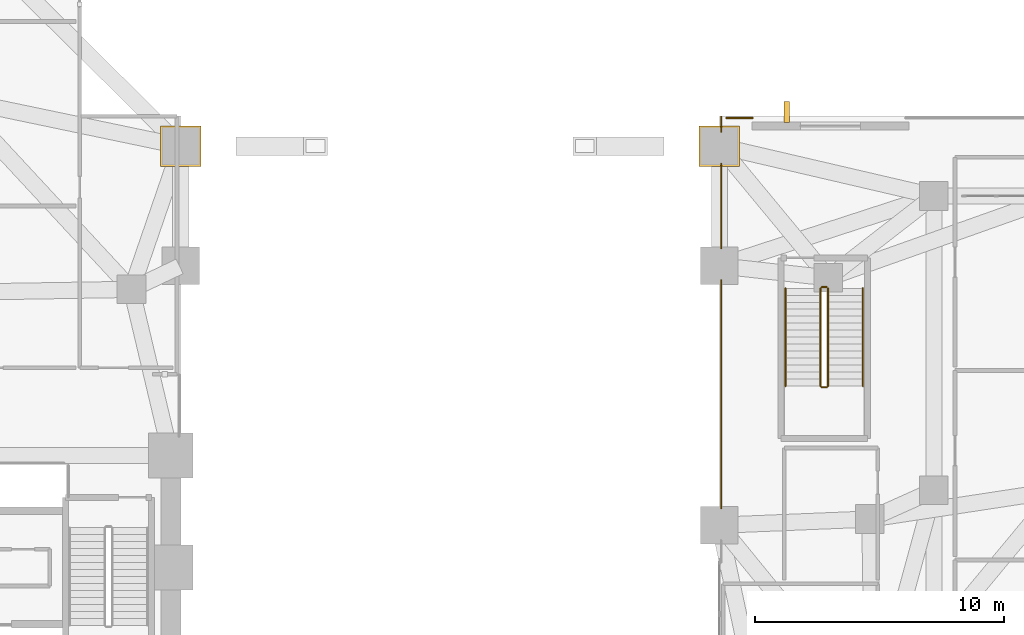
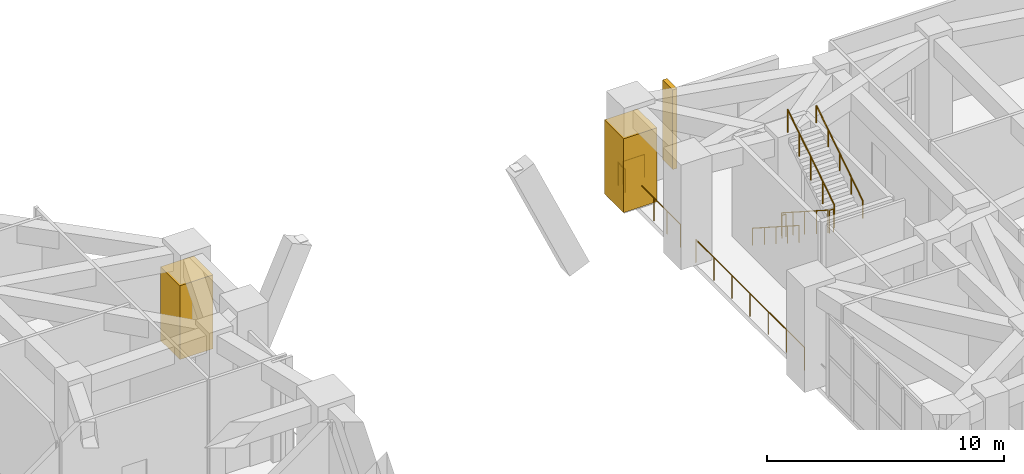
# One storey, part 16 of 18: 10 railings, 2 coverings, 1 shading device.
"""IFC4 building model written with IfcOpenShell, lengths in metres."""

from ifc_helpers import new_model, si_unit, direction, frame, origin, origin_2d, place, context, subcontext, project, spatial, rectangle, circle, extrude, material, layer, layer_set, type_object, element, save


model = new_model("IFC4")

# Units and contexts
model_context = context("Model", 3, precision=1e-05, world=origin(), true_north=direction((0.0, 1.0)))
body_context = subcontext(model_context, "Body", "Model", "MODEL_VIEW")
ifc_project = project(units=[si_unit("LENGTHUNIT", "METRE"), si_unit("AREAUNIT", "SQUARE_METRE"), si_unit("VOLUMEUNIT", "CUBIC_METRE"), si_unit("PLANEANGLEUNIT", "RADIAN"), si_unit("MASSUNIT", "GRAM", prefix="KILO")], contexts=[model_context])

# Site, building, storey
site_placement = place(None, origin())
site = spatial("IfcSite", under=ifc_project, at=site_placement, CompositionType="ELEMENT")
building_placement = place(site_placement, origin())
building = spatial("IfcBuilding", under=site, at=building_placement, Name="Gaonmaruhae Medical Tower", CompositionType="ELEMENT")
storey_placement = place(building_placement, frame((0.0, 0.0, 16.199951171875)))
storey = spatial("IfcBuildingStorey", under=building, at=storey_placement, Name="L03", CompositionType="ELEMENT", Elevation=16.199951171875)

# Coverings
ifc_material_1 = material(Name="Architectural precast column cladding", Category="concrete")
ifc_layer_1 = layer(ifc_material_1, 0.06005859375)
ifc_layer_set_1 = layer_set([ifc_layer_1], Name="Architectural precast column cladding")
covering_type = type_object("IfcCoveringType", Name="CLD-01 Architectural Precast Pier Cladding", PredefinedType="CLADDING", material=ifc_layer_set_1)
for number, where, z_axis, x_axis, name in (
    (1, (36.0, 29.199951171875, 0.10009765625), (0.0, 0.0, 1.0), (1.0, 0.0, 0.0), "L03 Architectural Precast Column Cladding 3"),
    (2, (57.60009765625, 29.199951171875, 0.10009765625), (0.0, 0.0, 1.0), (1.0, 0.0, 0.0), "L03 Architectural Precast Column Cladding 4"),
):
    element("IfcCovering", number, at=place(storey_placement, frame(where, z_axis=z_axis, x_axis=x_axis)), inside=storey, type_object=covering_type, Name=name, PredefinedType="CLADDING", context=body_context, shape_type="SweptSolid", body=[
        extrude(rectangle(XDim=1.6201171875, YDim=1.6201171875, at=origin_2d()), origin(), (0.0, 0.0, 1.0), 3.800048828125),
    ])

# Railings
ifc_material_2 = material(Name="Stainless steel 316L and laminated safety glass", Category="steel")
ifc_layer_2 = layer(ifc_material_2, 0.080078125)
ifc_layer_set_2 = layer_set([ifc_layer_2], Name="Stainless steel 316L and laminated safety glass")
railing_type_1 = type_object("IfcRailingType", Name="GD-120 Outdoor Terrace Safety Glass & Steel Balustrade", PredefinedType="BALUSTRADE", material=ifc_layer_set_2)
railing_1_placement = place(storey_placement, frame((57.669921875, 14.67041015625, 0.0)))
element("IfcRailing", 3, at=railing_1_placement, inside=storey, type_object=railing_type_1, Name="L03 Perimeter Slab Edge Safety Balustrade 35", PredefinedType="BALUSTRADE", context=body_context, shape_type="SweptSolid", body=[
    extrude(circle(Radius=0.02392578125, at=origin_2d()), frame((0.0, 0.0, 1.17578125), z_axis=(0.0, 1.0, 0.0), x_axis=(-1.0, 0.0, 0.0)), (0.0, 0.0, 1.0), 9.154052734375),
    extrude(circle(Radius=0.02099609375, at=origin_2d()), origin(), (0.0, 0.0, 1.0), 1.15185546875),
    extrude(circle(Radius=0.02099609375, at=origin_2d()), frame((0.0, 1.525634765625, 0.0)), (0.0, 0.0, 1.0), 1.15185546875),
    extrude(circle(Radius=0.02099609375, at=origin_2d()), frame((0.0, 3.05126953125, 0.0)), (0.0, 0.0, 1.0), 1.15185546875),
    extrude(circle(Radius=0.02099609375, at=origin_2d()), frame((0.0, 4.5771484375, 0.0)), (0.0, 0.0, 1.0), 1.15185546875),
    extrude(circle(Radius=0.02099609375, at=origin_2d()), frame((0.0, 6.102783203125, 0.0)), (0.0, 0.0, 1.0), 1.15185546875),
    extrude(circle(Radius=0.02099609375, at=origin_2d()), frame((0.0, 7.62841796875, 0.0)), (0.0, 0.0, 1.0), 1.15185546875),
    extrude(circle(Radius=0.02099609375, at=origin_2d()), frame((0.0, 9.154052734375, 0.0)), (0.0, 0.0, 1.0), 1.15185546875),
])
railing_2_placement = place(storey_placement, frame((57.669921875, 25.103515625, 0.0)))
element("IfcRailing", 4, at=railing_2_placement, inside=storey, type_object=railing_type_1, Name="L03 Perimeter Slab Edge Safety Balustrade 36", PredefinedType="BALUSTRADE", context=body_context, shape_type="SweptSolid", body=[
    extrude(circle(Radius=0.02392578125, at=origin_2d()), frame((0.0, 0.0, 1.17578125), z_axis=(0.0, 1.0, 0.0), x_axis=(-1.0, 0.0, 0.0)), (0.0, 0.0, 1.0), 3.397705078125),
    extrude(circle(Radius=0.02099609375, at=origin_2d()), origin(), (0.0, 0.0, 1.0), 1.15185546875),
    extrude(circle(Radius=0.02099609375, at=origin_2d()), frame((0.0, 1.132568359375, 0.0)), (0.0, 0.0, 1.0), 1.15185546875),
    extrude(circle(Radius=0.02099609375, at=origin_2d()), frame((0.0, 2.26513671875, 0.0)), (0.0, 0.0, 1.0), 1.15185546875),
    extrude(circle(Radius=0.02099609375, at=origin_2d()), frame((0.0, 3.397705078125, 0.0)), (0.0, 0.0, 1.0), 1.15185546875),
])
railing_3_placement = place(storey_placement, frame((57.669921875, 29.780517578125, 0.0)))
element("IfcRailing", 5, at=railing_3_placement, inside=storey, type_object=railing_type_1, Name="L03 Perimeter Slab Edge Safety Balustrade 37", PredefinedType="BALUSTRADE", context=body_context, shape_type="SweptSolid", body=[
    extrude(circle(Radius=0.02392578125, at=origin_2d()), frame((0.0, 0.0, 1.17578125), z_axis=(0.0, 1.0, 0.0), x_axis=(-1.0, 0.0, 0.0)), (0.0, 0.0, 1.0), 0.599365234375),
    extrude(circle(Radius=0.02099609375, at=origin_2d()), origin(), (0.0, 0.0, 1.0), 1.15185546875),
    extrude(circle(Radius=0.02099609375, at=origin_2d()), frame((0.0, 0.599365234375, 0.0)), (0.0, 0.0, 1.0), 1.15185546875),
])
railing_4_placement = place(storey_placement, frame((57.879150390625, 30.330078125, 0.0)))
element("IfcRailing", 6, at=railing_4_placement, inside=storey, type_object=railing_type_1, Name="L03 Perimeter Slab Edge Safety Balustrade 38", PredefinedType="BALUSTRADE", context=body_context, shape_type="SweptSolid", body=[
    extrude(circle(Radius=0.02392578125, at=origin_2d()), frame((0.0, 0.0, 1.17578125), z_axis=(1.0, 0.0, 0.0), x_axis=(0.0, 1.0, 0.0)), (0.0, 0.0, 1.0), 1.0576171875),
    extrude(circle(Radius=0.02099609375, at=origin_2d()), origin(), (0.0, 0.0, 1.0), 1.15185546875),
    extrude(circle(Radius=0.02099609375, at=origin_2d()), frame((1.0576171875, 0.0, 0.0)), (0.0, 0.0, 1.0), 1.15185546875),
])
ifc_material_3 = material(Name="Stainless steel 304 handrail", Category="steel")
railing_type_2 = type_object("IfcRailingType", Name="HR-092 Continuous Stainless Steel Stair Handrail", PredefinedType="HANDRAIL", material=ifc_material_3)
railing_5_placement = place(storey_placement, frame((60.25, 23.5, 0.179931640625)))
element("IfcRailing", 7, at=railing_5_placement, inside=storey, type_object=railing_type_2, Name="L03 ST-04 stair handrail 1", PredefinedType="HANDRAIL", context=body_context, shape_type="SweptSolid", body=[
    extrude(circle(Radius=0.02392578125, at=origin_2d()), frame((0.0, 0.0, 0.8759765625), z_axis=(0.0, -0.841171666519, 0.540768182723), x_axis=(1.0, 0.0, 0.0)), (0.0, 0.0, 1.0), 4.66015625),
    extrude(circle(Radius=0.02099609375, at=origin_2d()), origin(), (0.0, 0.0, 1.0), 0.851806640625),
    extrude(circle(Radius=0.02099609375, at=origin_2d()), frame((0.0, -0.97998046875, 0.6298828125)), (0.0, 0.0, 1.0), 0.851806640625),
    extrude(circle(Radius=0.02099609375, at=origin_2d()), frame((0.0, -1.9599609375, 1.260009765625)), (0.0, 0.0, 1.0), 0.851806640625),
    extrude(circle(Radius=0.02099609375, at=origin_2d()), frame((0.0, -2.93994140625, 1.89013671875)), (0.0, 0.0, 1.0), 0.851806640625),
    extrude(circle(Radius=0.02099609375, at=origin_2d()), frame((0.0, -3.919921875, 2.52001953125)), (0.0, 0.0, 1.0), 0.851806640625),
])
railing_6_placement = place(storey_placement, frame((63.35009765625, 19.580078125, 2.880126953125)))
element("IfcRailing", 8, at=railing_6_placement, inside=storey, type_object=railing_type_2, Name="L03 ST-04 stair handrail 2", PredefinedType="HANDRAIL", context=body_context, shape_type="SweptSolid", body=[
    extrude(circle(Radius=0.02392578125, at=origin_2d()), frame((0.0, 0.0, 0.8759765625), z_axis=(0.0, 0.841171666519, 0.540768182723), x_axis=(-1.0, 0.0, 0.0)), (0.0, 0.0, 1.0), 4.66015625),
    extrude(circle(Radius=0.02099609375, at=origin_2d()), origin(), (0.0, 0.0, 1.0), 0.851806640625),
    extrude(circle(Radius=0.02099609375, at=origin_2d()), frame((0.0, 0.97998046875, 0.6298828125)), (0.0, 0.0, 1.0), 0.851806640625),
    extrude(circle(Radius=0.02099609375, at=origin_2d()), frame((0.0, 1.9599609375, 1.260009765625)), (0.0, 0.0, 1.0), 0.851806640625),
    extrude(circle(Radius=0.02099609375, at=origin_2d()), frame((0.0, 2.93994140625, 1.89013671875)), (0.0, 0.0, 1.0), 0.851806640625),
    extrude(circle(Radius=0.02099609375, at=origin_2d()), frame((0.0, 3.919921875, 2.52001953125)), (0.0, 0.0, 1.0), 0.851806640625),
])

# Shading device
ifc_material_4 = material(Name="Pigmented coral precast concrete C45/55", Category="concrete")
shading_device_type = type_object("IfcShadingDeviceType", Name="SD-FIN2 Podium Vertical Coral Precast Shading Fin", PredefinedType="USERDEFINED", material=ifc_material_4)
shading_device_placement = place(storey_placement, frame((60.300048828125, 30.56494140625, 0.06494140625), z_axis=(0.0, 0.0, 1.0), x_axis=(1.0, 0.0, 0.0)))
element("IfcShadingDevice", 9, at=shading_device_placement, inside=storey, type_object=shading_device_type, Name="L03 Podium Coral Precast Shading Fin PB-N1", ObjectType="FIN", PredefinedType="USERDEFINED", context=body_context, shape_type="SweptSolid", body=[
    extrude(rectangle(XDim=0.219970703125, YDim=0.85009765625, at=origin_2d()), origin(), (0.0, 0.0, 1.0), 4.10009765625),
])

# Railings
ifc_material_5 = material(Name="Stainless steel 304 balustrade", Category="steel")
railing_type_3 = type_object("IfcRailingType", Name="SG-112 Stair Well & Ramp Void Safety Balustrade", PredefinedType="BALUSTRADE", material=ifc_material_5)
railing_7_placement = place(storey_placement, frame((61.64990234375, 23.5, 0.179931640625)))
element("IfcRailing", 10, at=railing_7_placement, inside=storey, type_object=railing_type_3, Name="L03 ST-04 stair guard 1", PredefinedType="BALUSTRADE", context=body_context, shape_type="SweptSolid", body=[
    extrude(circle(Radius=0.02392578125, at=origin_2d()), frame((0.0, 0.0, 1.17578125), z_axis=(0.0, -0.841171666519, 0.540768182723), x_axis=(1.0, 0.0, 0.0)), (0.0, 0.0, 1.0), 4.66015625),
    extrude(circle(Radius=0.02099609375, at=origin_2d()), origin(), (0.0, 0.0, 1.0), 1.15185546875),
    extrude(circle(Radius=0.02099609375, at=origin_2d()), frame((0.0, -0.97998046875, 0.6298828125)), (0.0, 0.0, 1.0), 1.15185546875),
    extrude(circle(Radius=0.02099609375, at=origin_2d()), frame((0.0, -1.9599609375, 1.260009765625)), (0.0, 0.0, 1.0), 1.15185546875),
    extrude(circle(Radius=0.02099609375, at=origin_2d()), frame((0.0, -2.93994140625, 1.89013671875)), (0.0, 0.0, 1.0), 1.15185546875),
    extrude(circle(Radius=0.02099609375, at=origin_2d()), frame((0.0, -3.919921875, 2.52001953125)), (0.0, 0.0, 1.0), 1.15185546875),
])
railing_8_placement = place(storey_placement, frame((61.699951171875, 19.530029296875, 2.699951171875)))
element("IfcRailing", 11, at=railing_8_placement, inside=storey, type_object=railing_type_3, Name="L03 ST-04 stair guard 2", PredefinedType="BALUSTRADE", context=body_context, shape_type="SweptSolid", body=[
    extrude(circle(Radius=0.02392578125, at=origin_2d()), frame((0.0, 0.0, 1.17578125), z_axis=(1.0, 0.0, 0.0), x_axis=(0.0, 1.0, 0.0)), (0.0, 0.0, 1.0), 0.199951171875),
    extrude(circle(Radius=0.02099609375, at=origin_2d()), origin(), (0.0, 0.0, 1.0), 1.15185546875),
    extrude(circle(Radius=0.02099609375, at=origin_2d()), frame((0.199951171875, 0.0, 0.0)), (0.0, 0.0, 1.0), 1.15185546875),
])
railing_9_placement = place(storey_placement, frame((61.949951171875, 19.580078125, 2.880126953125)))
element("IfcRailing", 12, at=railing_9_placement, inside=storey, type_object=railing_type_3, Name="L03 ST-04 stair guard 3", PredefinedType="BALUSTRADE", context=body_context, shape_type="SweptSolid", body=[
    extrude(circle(Radius=0.02392578125, at=origin_2d()), frame((0.0, 0.0, 1.17578125), z_axis=(0.0, 0.841171666519, 0.540768182723), x_axis=(-1.0, 0.0, 0.0)), (0.0, 0.0, 1.0), 4.66015625),
    extrude(circle(Radius=0.02099609375, at=origin_2d()), origin(), (0.0, 0.0, 1.0), 1.15185546875),
    extrude(circle(Radius=0.02099609375, at=origin_2d()), frame((0.0, 0.97998046875, 0.6298828125)), (0.0, 0.0, 1.0), 1.15185546875),
    extrude(circle(Radius=0.02099609375, at=origin_2d()), frame((0.0, 1.9599609375, 1.260009765625)), (0.0, 0.0, 1.0), 1.15185546875),
    extrude(circle(Radius=0.02099609375, at=origin_2d()), frame((0.0, 2.93994140625, 1.89013671875)), (0.0, 0.0, 1.0), 1.15185546875),
    extrude(circle(Radius=0.02099609375, at=origin_2d()), frame((0.0, 3.919921875, 2.52001953125)), (0.0, 0.0, 1.0), 1.15185546875),
])
railing_10_placement = place(storey_placement, frame((61.699951171875, 23.550048828125, 0.0)))
element("IfcRailing", 13, at=railing_10_placement, inside=storey, type_object=railing_type_3, Name="L03 ST-04 stair guard 4", PredefinedType="BALUSTRADE", context=body_context, shape_type="SweptSolid", body=[
    extrude(circle(Radius=0.02392578125, at=origin_2d()), frame((0.0, 0.0, 1.17578125), z_axis=(1.0, 0.0, 0.0), x_axis=(0.0, 1.0, 0.0)), (0.0, 0.0, 1.0), 0.199951171875),
    extrude(circle(Radius=0.02099609375, at=origin_2d()), origin(), (0.0, 0.0, 1.0), 1.15185546875),
    extrude(circle(Radius=0.02099609375, at=origin_2d()), frame((0.199951171875, 0.0, 0.0)), (0.0, 0.0, 1.0), 1.15185546875),
])

save(model, "model.ifc")
